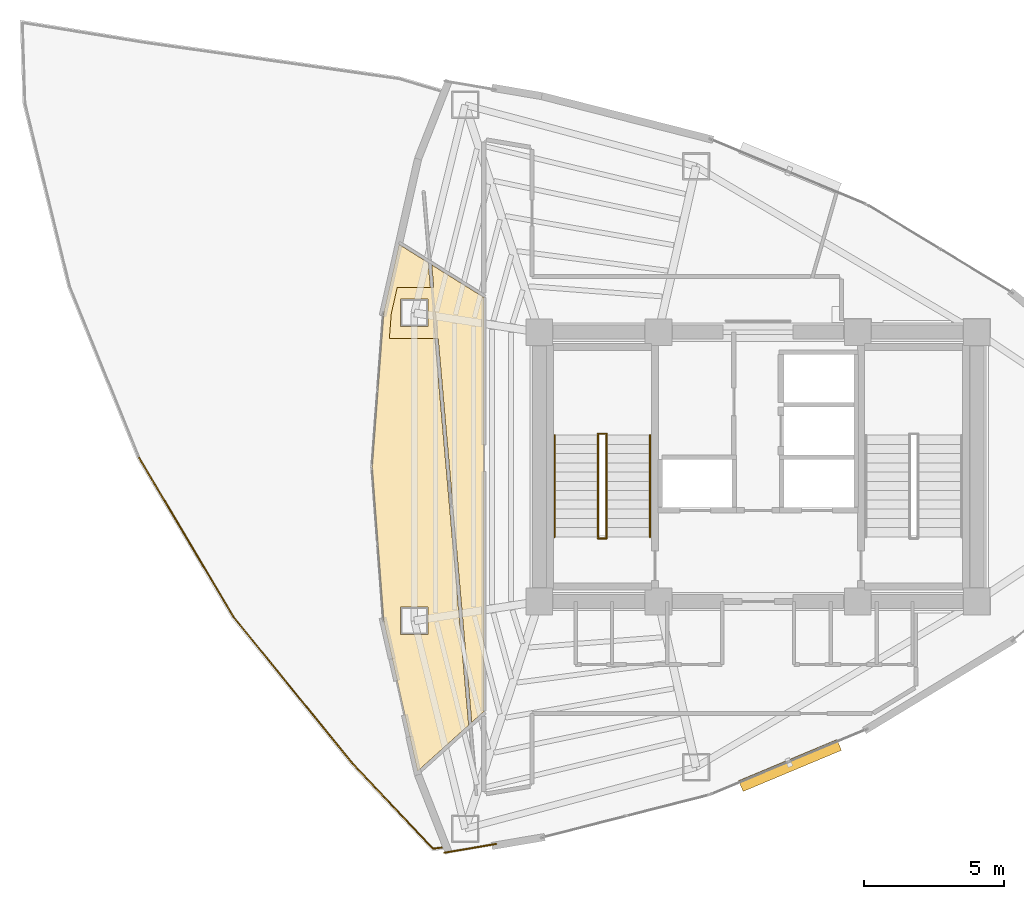
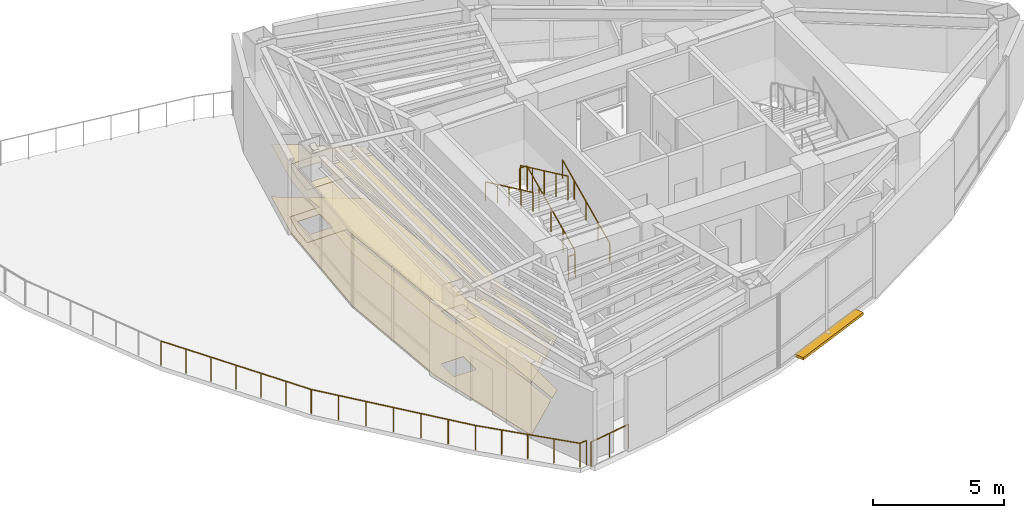
# One storey, part 15 of 17: 11 railings, 4 coverings, 1 shading device.
"""IFC4 building model written with IfcOpenShell, lengths in metres."""

from ifc_helpers import new_model, si_unit, direction, frame, origin, origin_2d, place, context, subcontext, project, spatial, polyline, rectangle, circle, outline, extrude, material, layer, layer_set, type_object, element, save


model = new_model("IFC4")

# Units and contexts
model_context = context("Model", 3, precision=1e-05, world=origin(), true_north=direction((0.0, 1.0)))
body_context = subcontext(model_context, "Body", "Model", "MODEL_VIEW")
ifc_project = project(units=[si_unit("LENGTHUNIT", "METRE"), si_unit("AREAUNIT", "SQUARE_METRE"), si_unit("VOLUMEUNIT", "CUBIC_METRE"), si_unit("PLANEANGLEUNIT", "RADIAN"), si_unit("MASSUNIT", "GRAM", prefix="KILO")], contexts=[model_context])

# Site, building, storey
site_placement = place(None, origin())
site = spatial("IfcSite", under=ifc_project, at=site_placement, CompositionType="ELEMENT")
building_placement = place(site_placement, origin())
building = spatial("IfcBuilding", under=site, at=building_placement, Name="Menara Vayukalpa", CompositionType="ELEMENT")
storey_placement = place(building_placement, frame((0.0, 0.0, 206.39990234375)))
storey = spatial("IfcBuildingStorey", under=building, at=storey_placement, Name="L52", CompositionType="ELEMENT", Elevation=206.39990234375)

# Coverings
ifc_material_1 = material(Name="Mineral Fibre Acoustic Ceiling Tile", Category="masonry")
ifc_layer_1 = layer(ifc_material_1, 0.02490234375)
ifc_layer_set_1 = layer_set([ifc_layer_1], Name="Mineral Fibre Acoustic Ceiling Tile")
covering_type_1 = type_object("IfcCoveringType", Name="COV-CLG1", PredefinedType="CEILING", material=ifc_layer_set_1)
covering_1_placement = place(storey_placement, frame((0.0, 0.0, 2.4501953125)))
element("IfcCovering", 1, at=covering_1_placement, inside=storey, type_object=covering_type_1, Name="L52 Sky Lobby Transfer Lounge Acoustic Ceiling", PredefinedType="CEILING", context=body_context, shape_type="SweptSolid", body=[
    extrude(outline(polyline([(11.84228515625, 22.0), (11.84228515625, 22.000732421875), (12.25390625, 27.48681640625), (12.25390625, 27.48828125), (12.79931640625, 29.912109375), (12.7998046875, 29.9130859375), (12.800048828125, 29.9140625), (12.800537109375, 29.9150390625), (12.801025390625, 29.915771484375), (12.8017578125, 29.91650390625), (12.802490234375, 29.917236328125), (12.80322265625, 29.91796875), (12.803955078125, 29.91845703125), (12.804931640625, 29.9189453125), (12.805908203125, 29.91943359375), (12.806884765625, 29.919677734375), (12.807861328125, 29.919921875), (12.808837890625, 29.919921875), (12.809814453125, 29.919921875), (12.810791015625, 29.919921875), (12.811767578125, 29.919677734375), (12.812744140625, 29.91943359375), (12.813720703125, 29.9189453125), (12.814453125, 29.91845703125), (13.83544921875, 29.280517578125), (13.836181640625, 29.27978515625), (13.837158203125, 29.279296875), (13.837890625, 29.278564453125), (13.83837890625, 29.277587890625), (13.839111328125, 29.27685546875), (13.83935546875, 29.27587890625), (13.83984375, 29.27490234375), (13.840087890625, 29.27392578125), (13.840087890625, 29.27294921875), (13.91650390625, 28.399169921875), (14.25390625, 28.399169921875), (14.25390625, 26.5791015625), (14.07568359375, 26.5791015625), (15.28173828125, 12.795654296875), (15.28173828125, 12.79443359375), (15.28173828125, 12.79345703125), (15.281494140625, 12.79248046875), (15.28125, 12.79150390625), (15.281005859375, 12.79052734375), (15.280517578125, 12.78955078125), (15.27978515625, 12.788818359375), (15.279296875, 12.7880859375), (15.278564453125, 12.787353515625), (13.47314453125, 11.16162109375), (13.472412109375, 11.160888671875), (13.471435546875, 11.160400390625), (13.470703125, 11.159912109375), (13.4697265625, 11.15966796875), (13.46875, 11.159423828125), (13.4677734375, 11.1591796875), (13.466796875, 11.1591796875), (13.4658203125, 11.1591796875), (13.46484375, 11.1591796875), (13.4638671875, 11.159423828125), (13.462890625, 11.15966796875), (13.4619140625, 11.16015625), (13.461181640625, 11.16064453125), (13.460205078125, 11.1611328125), (13.459716796875, 11.161865234375), (13.458984375, 11.16259765625), (13.458251953125, 11.163330078125), (13.457763671875, 11.1640625), (13.457275390625, 11.1650390625), (13.456787109375, 11.166015625), (13.45654296875, 11.1669921875), (12.25390625, 16.51171875), (12.25390625, 16.51318359375), (11.84228515625, 21.999267578125), (11.84228515625, 22.0)]), holes=[polyline([(13.833984375, 17.000732421875), (12.85400390625, 17.000732421875), (12.85400390625, 16.020751953125), (13.833984375, 16.020751953125), (13.833984375, 17.000732421875)]), polyline([(13.833984375, 27.979248046875), (12.85400390625, 27.979248046875), (12.85400390625, 26.999267578125), (13.833984375, 26.999267578125), (13.833984375, 27.979248046875)])]), origin(), (0.0, 0.0, 1.0), 0.02490234375),
])
covering_2_placement = place(storey_placement, frame((0.0, 0.0, 2.4501953125)))
element("IfcCovering", 2, at=covering_2_placement, inside=storey, type_object=covering_type_1, Name="L52 Visitor Reception Lounge Acoustic Ceiling", PredefinedType="CEILING", context=body_context, shape_type="SweptSolid", body=[
    extrude(outline(polyline([(15.829833984375, 13.286376953125), (15.82958984375, 13.285400390625), (15.829345703125, 13.28466796875), (15.828857421875, 13.28369140625), (15.82861328125, 13.282958984375), (15.827880859375, 13.281982421875), (15.827392578125, 13.281494140625), (15.82666015625, 13.28076171875), (15.40869140625, 12.904541015625), (15.407958984375, 12.904052734375), (15.4072265625, 12.9033203125), (15.406494140625, 12.903076171875), (15.405517578125, 12.902587890625), (15.404541015625, 12.90234375), (15.403564453125, 12.902099609375), (15.402587890625, 12.902099609375), (15.401611328125, 12.902099609375), (15.40087890625, 12.902099609375), (15.39990234375, 12.90234375), (15.39892578125, 12.902587890625), (15.39794921875, 12.90283203125), (15.397216796875, 12.9033203125), (15.396240234375, 12.90380859375), (15.3955078125, 12.904296875), (15.39501953125, 12.905029296875), (15.394287109375, 12.90576171875), (15.393798828125, 12.906494140625), (15.393310546875, 12.907470703125), (15.392822265625, 12.908203125), (15.392578125, 12.9091796875), (15.392333984375, 12.91015625), (15.39208984375, 12.9111328125), (14.1962890625, 26.5791015625), (12.45654296875, 26.5791015625), (12.521728515625, 27.44775390625), (12.73583984375, 28.399169921875), (14.037109375, 28.399169921875), (13.968994140625, 29.17822265625), (13.968994140625, 29.17919921875), (13.968994140625, 29.18017578125), (13.968994140625, 29.18115234375), (13.96923828125, 29.181884765625), (13.9697265625, 29.182861328125), (13.97021484375, 29.183837890625), (13.970703125, 29.1845703125), (13.97119140625, 29.185302734375), (13.9716796875, 29.18603515625), (13.972412109375, 29.186767578125), (13.973388671875, 29.1875), (13.97412109375, 29.18798828125), (13.97509765625, 29.188232421875), (13.975830078125, 29.188720703125), (13.976806640625, 29.18896484375), (13.977783203125, 29.18896484375), (13.978759765625, 29.189208984375), (13.979736328125, 29.189208984375), (13.980712890625, 29.18896484375), (13.981689453125, 29.188720703125), (13.982421875, 29.1884765625), (13.9833984375, 29.18798828125), (13.984130859375, 29.1875), (15.8251953125, 28.037109375), (15.826171875, 28.03662109375), (15.826904296875, 28.035888671875), (15.82763671875, 28.03515625), (15.828125, 28.034423828125), (15.82861328125, 28.033447265625), (15.8291015625, 28.03271484375), (15.82958984375, 28.03173828125), (15.829833984375, 28.03076171875), (15.829833984375, 28.02978515625), (15.830078125, 28.02880859375), (15.830078125, 13.2880859375), (15.830078125, 13.287353515625), (15.829833984375, 13.286376953125)]), holes=[polyline([(13.833984375, 27.979248046875), (12.85400390625, 27.979248046875), (12.85400390625, 26.999267578125), (13.833984375, 26.999267578125), (13.833984375, 27.979248046875)])]), origin(), (0.0, 0.0, 1.0), 0.02490234375),
])
ifc_material_2 = material(Name="Porcelain Stoneware Floor Tile", Category="masonry")
ifc_layer_2 = layer(ifc_material_2, 0.02001953125)
ifc_layer_set_2 = layer_set([ifc_layer_2], Name="Porcelain Stoneware Floor Tile")
covering_type_2 = type_object("IfcCoveringType", Name="COV-FLR1", PredefinedType="FLOORING", material=ifc_layer_set_2)
covering_3_placement = place(storey_placement, origin())
element("IfcCovering", 3, at=covering_3_placement, inside=storey, type_object=covering_type_2, Name="L52 Sky Lobby Transfer Lounge Porcelain Flooring", PredefinedType="FLOORING", context=body_context, shape_type="SweptSolid", body=[
    extrude(outline(polyline([(11.84228515625, 22.0), (11.84228515625, 22.000732421875), (12.25390625, 27.48681640625), (12.25390625, 27.48828125), (12.79931640625, 29.912109375), (12.7998046875, 29.9130859375), (12.800048828125, 29.9140625), (12.800537109375, 29.9150390625), (12.801025390625, 29.915771484375), (12.8017578125, 29.91650390625), (12.802490234375, 29.917236328125), (12.80322265625, 29.91796875), (12.803955078125, 29.91845703125), (12.804931640625, 29.9189453125), (12.805908203125, 29.91943359375), (12.806884765625, 29.919677734375), (12.807861328125, 29.919921875), (12.808837890625, 29.919921875), (12.809814453125, 29.919921875), (12.810791015625, 29.919921875), (12.811767578125, 29.919677734375), (12.812744140625, 29.91943359375), (12.813720703125, 29.9189453125), (12.814453125, 29.91845703125), (13.83544921875, 29.280517578125), (13.836181640625, 29.27978515625), (13.837158203125, 29.279296875), (13.837890625, 29.278564453125), (13.83837890625, 29.277587890625), (13.839111328125, 29.27685546875), (13.83935546875, 29.27587890625), (13.83984375, 29.27490234375), (13.840087890625, 29.27392578125), (13.840087890625, 29.27294921875), (13.91650390625, 28.399169921875), (14.25390625, 28.399169921875), (14.25390625, 26.5791015625), (14.07568359375, 26.5791015625), (15.28173828125, 12.795654296875), (15.28173828125, 12.79443359375), (15.28173828125, 12.79345703125), (15.281494140625, 12.79248046875), (15.28125, 12.79150390625), (15.281005859375, 12.79052734375), (15.280517578125, 12.78955078125), (15.27978515625, 12.788818359375), (15.279296875, 12.7880859375), (15.278564453125, 12.787353515625), (13.47314453125, 11.16162109375), (13.472412109375, 11.160888671875), (13.471435546875, 11.160400390625), (13.470703125, 11.159912109375), (13.4697265625, 11.15966796875), (13.46875, 11.159423828125), (13.4677734375, 11.1591796875), (13.466796875, 11.1591796875), (13.4658203125, 11.1591796875), (13.46484375, 11.1591796875), (13.4638671875, 11.159423828125), (13.462890625, 11.15966796875), (13.4619140625, 11.16015625), (13.461181640625, 11.16064453125), (13.460205078125, 11.1611328125), (13.459716796875, 11.161865234375), (13.458984375, 11.16259765625), (13.458251953125, 11.163330078125), (13.457763671875, 11.1640625), (13.457275390625, 11.1650390625), (13.456787109375, 11.166015625), (13.45654296875, 11.1669921875), (12.25390625, 16.51171875), (12.25390625, 16.51318359375), (11.84228515625, 21.999267578125), (11.84228515625, 22.0)]), holes=[polyline([(13.833984375, 17.000732421875), (12.85400390625, 17.000732421875), (12.85400390625, 16.020751953125), (13.833984375, 16.020751953125), (13.833984375, 17.000732421875)]), polyline([(13.833984375, 27.979248046875), (12.85400390625, 27.979248046875), (12.85400390625, 26.999267578125), (13.833984375, 26.999267578125), (13.833984375, 27.979248046875)])]), origin(), (0.0, 0.0, 1.0), 0.02001953125),
])
covering_4_placement = place(storey_placement, origin())
element("IfcCovering", 4, at=covering_4_placement, inside=storey, type_object=covering_type_2, Name="L52 Visitor Reception Lounge Porcelain Flooring", PredefinedType="FLOORING", context=body_context, shape_type="SweptSolid", body=[
    extrude(outline(polyline([(15.829833984375, 13.286376953125), (15.82958984375, 13.285400390625), (15.829345703125, 13.28466796875), (15.828857421875, 13.28369140625), (15.82861328125, 13.282958984375), (15.827880859375, 13.281982421875), (15.827392578125, 13.281494140625), (15.82666015625, 13.28076171875), (15.40869140625, 12.904541015625), (15.407958984375, 12.904052734375), (15.4072265625, 12.9033203125), (15.406494140625, 12.903076171875), (15.405517578125, 12.902587890625), (15.404541015625, 12.90234375), (15.403564453125, 12.902099609375), (15.402587890625, 12.902099609375), (15.401611328125, 12.902099609375), (15.40087890625, 12.902099609375), (15.39990234375, 12.90234375), (15.39892578125, 12.902587890625), (15.39794921875, 12.90283203125), (15.397216796875, 12.9033203125), (15.396240234375, 12.90380859375), (15.3955078125, 12.904296875), (15.39501953125, 12.905029296875), (15.394287109375, 12.90576171875), (15.393798828125, 12.906494140625), (15.393310546875, 12.907470703125), (15.392822265625, 12.908203125), (15.392578125, 12.9091796875), (15.392333984375, 12.91015625), (15.39208984375, 12.9111328125), (14.1962890625, 26.5791015625), (12.45654296875, 26.5791015625), (12.521728515625, 27.44775390625), (12.73583984375, 28.399169921875), (14.037109375, 28.399169921875), (13.968994140625, 29.17822265625), (13.968994140625, 29.17919921875), (13.968994140625, 29.18017578125), (13.968994140625, 29.18115234375), (13.96923828125, 29.181884765625), (13.9697265625, 29.182861328125), (13.97021484375, 29.183837890625), (13.970703125, 29.1845703125), (13.97119140625, 29.185302734375), (13.9716796875, 29.18603515625), (13.972412109375, 29.186767578125), (13.973388671875, 29.1875), (13.97412109375, 29.18798828125), (13.97509765625, 29.188232421875), (13.975830078125, 29.188720703125), (13.976806640625, 29.18896484375), (13.977783203125, 29.18896484375), (13.978759765625, 29.189208984375), (13.979736328125, 29.189208984375), (13.980712890625, 29.18896484375), (13.981689453125, 29.188720703125), (13.982421875, 29.1884765625), (13.9833984375, 29.18798828125), (13.984130859375, 29.1875), (15.8251953125, 28.037109375), (15.826171875, 28.03662109375), (15.826904296875, 28.035888671875), (15.82763671875, 28.03515625), (15.828125, 28.034423828125), (15.82861328125, 28.033447265625), (15.8291015625, 28.03271484375), (15.82958984375, 28.03173828125), (15.829833984375, 28.03076171875), (15.829833984375, 28.02978515625), (15.830078125, 28.02880859375), (15.830078125, 13.2880859375), (15.830078125, 13.287353515625), (15.829833984375, 13.286376953125)]), holes=[polyline([(13.833984375, 27.979248046875), (12.85400390625, 27.979248046875), (12.85400390625, 26.999267578125), (13.833984375, 26.999267578125), (13.833984375, 27.979248046875)])]), origin(), (0.0, 0.0, 1.0), 0.02001953125),
])

# Railings
ifc_material_3 = material(Name="Laminated Glass and Stainless Steel 316 Guardrail", Category="steel")
railing_type_1 = type_object("IfcRailingType", Name="RLG-EXT115", PredefinedType="GUARDRAIL", material=ifc_material_3)
railing_1_placement = place(storey_placement, frame((14.012451171875, 8.38720703125, 0.0)))
element("IfcRailing", 5, at=railing_1_placement, inside=storey, type_object=railing_type_1, Name="L52 Sky Terrace Perimeter Guardrail 01", PredefinedType="GUARDRAIL", context=body_context, shape_type="SweptSolid", body=[
    extrude(circle(Radius=0.02392578125, at=origin_2d()), frame((0.0, 0.0, 1.1259765625), z_axis=(-0.687705618689, 0.725989656967, 0.0), x_axis=(-0.725989656967, -0.687705618689, 0.0)), (0.0, 0.0, 1.0), 4.164306640625),
    extrude(circle(Radius=0.02099609375, at=origin_2d()), origin(), (0.0, 0.0, 1.0), 1.101806640625),
    extrude(circle(Radius=0.02099609375, at=origin_2d()), frame((-0.7158203125, 0.755859375, 0.0)), (0.0, 0.0, 1.0), 1.101806640625),
    extrude(circle(Radius=0.02099609375, at=origin_2d()), frame((-1.431884765625, 1.51171875, 0.0)), (0.0, 0.0, 1.0), 1.101806640625),
    extrude(circle(Radius=0.02099609375, at=origin_2d()), frame((-2.14794921875, 2.267333984375, 0.0)), (0.0, 0.0, 1.0), 1.101806640625),
    extrude(circle(Radius=0.02099609375, at=origin_2d()), frame((-2.86376953125, 3.023193359375, 0.0)), (0.0, 0.0, 1.0), 1.101806640625),
])
railing_2_placement = place(storey_placement, frame((11.148681640625, 11.410400390625, 0.0)))
element("IfcRailing", 6, at=railing_2_placement, inside=storey, type_object=railing_type_1, Name="L52 Sky Terrace Perimeter Guardrail 02", PredefinedType="GUARDRAIL", context=body_context, shape_type="SweptSolid", body=[
    extrude(circle(Radius=0.02392578125, at=origin_2d()), frame((0.0, 0.0, 1.1259765625), z_axis=(-0.630168571813, 0.776458351168, 0.0), x_axis=(-0.776458351168, -0.630168571813, 0.0)), (0.0, 0.0, 1.0), 6.7421875),
    extrude(circle(Radius=0.02099609375, at=origin_2d()), origin(), (0.0, 0.0, 1.0), 1.101806640625),
    extrude(circle(Radius=0.02099609375, at=origin_2d()), frame((-0.7080078125, 0.87255859375, 0.0)), (0.0, 0.0, 1.0), 1.101806640625),
    extrude(circle(Radius=0.02099609375, at=origin_2d()), frame((-1.416259765625, 1.7451171875, 0.0)), (0.0, 0.0, 1.0), 1.101806640625),
    extrude(circle(Radius=0.02099609375, at=origin_2d()), frame((-2.12451171875, 2.61767578125, 0.0)), (0.0, 0.0, 1.0), 1.101806640625),
    extrude(circle(Radius=0.02099609375, at=origin_2d()), frame((-2.83251953125, 3.489990234375, 0.0)), (0.0, 0.0, 1.0), 1.101806640625),
    extrude(circle(Radius=0.02099609375, at=origin_2d()), frame((-3.54052734375, 4.362548828125, 0.0)), (0.0, 0.0, 1.0), 1.101806640625),
    extrude(circle(Radius=0.02099609375, at=origin_2d()), frame((-4.248779296875, 5.235107421875, 0.0)), (0.0, 0.0, 1.0), 1.101806640625),
])
railing_3_placement = place(storey_placement, frame((6.89990234375, 16.6455078125, 0.0)))
element("IfcRailing", 7, at=railing_3_placement, inside=storey, type_object=railing_type_1, Name="L52 Sky Terrace Perimeter Guardrail 03", PredefinedType="GUARDRAIL", context=body_context, shape_type="SweptSolid", body=[
    extrude(circle(Radius=0.02392578125, at=origin_2d()), frame((0.0, 0.0, 1.1259765625), z_axis=(-0.510099771966, 0.860115238, 0.0), x_axis=(-0.860115238, -0.510099771966, 0.0)), (0.0, 0.0, 1.0), 6.593017578125),
    extrude(circle(Radius=0.02099609375, at=origin_2d()), origin(), (0.0, 0.0, 1.0), 1.101806640625),
    extrude(circle(Radius=0.02099609375, at=origin_2d()), frame((-0.560546875, 0.945068359375, 0.0)), (0.0, 0.0, 1.0), 1.101806640625),
    extrude(circle(Radius=0.02099609375, at=origin_2d()), frame((-1.12109375, 1.89013671875, 0.0)), (0.0, 0.0, 1.0), 1.101806640625),
    extrude(circle(Radius=0.02099609375, at=origin_2d()), frame((-1.681640625, 2.83544921875, 0.0)), (0.0, 0.0, 1.0), 1.101806640625),
    extrude(circle(Radius=0.02099609375, at=origin_2d()), frame((-2.241943359375, 3.780517578125, 0.0)), (0.0, 0.0, 1.0), 1.101806640625),
    extrude(circle(Radius=0.02099609375, at=origin_2d()), frame((-2.802490234375, 4.7255859375, 0.0)), (0.0, 0.0, 1.0), 1.101806640625),
    extrude(circle(Radius=0.02099609375, at=origin_2d()), frame((-3.363037109375, 5.670654296875, 0.0)), (0.0, 0.0, 1.0), 1.101806640625),
])
railing_4_placement = place(storey_placement, frame((14.32666015625, 8.425537109375, 0.0)))
element("IfcRailing", 8, at=railing_4_placement, inside=storey, type_object=railing_type_1, Name="L52 Sky Terrace Perimeter Guardrail 10", PredefinedType="GUARDRAIL", context=body_context, shape_type="SweptSolid", body=[
    extrude(circle(Radius=0.02392578125, at=origin_2d()), frame((0.0, 0.0, 1.1259765625), z_axis=(-0.992641355855, -0.121091447451, 0.0), x_axis=(0.121091447451, -0.992641355855, 0.0)), (0.0, 0.0, 1.0), 0.316650390625),
    extrude(circle(Radius=0.02099609375, at=origin_2d()), origin(), (0.0, 0.0, 1.0), 1.101806640625),
    extrude(circle(Radius=0.02099609375, at=origin_2d()), frame((-0.314208984375, -0.038330078125, 0.0)), (0.0, 0.0, 1.0), 1.101806640625),
])
railing_5_placement = place(storey_placement, frame((14.413818359375, 8.241455078125, 0.0)))
element("IfcRailing", 9, at=railing_5_placement, inside=storey, type_object=railing_type_1, Name="L52 Column Corner Spandrel Guardrail 14-1", PredefinedType="GUARDRAIL", context=body_context, shape_type="SweptSolid", body=[
    extrude(circle(Radius=0.02392578125, at=origin_2d()), frame((0.0, 0.0, 1.1259765625), z_axis=(0.985895107684, 0.167364382844, 0.0), x_axis=(-0.167364382844, 0.985895107684, 0.0)), (0.0, 0.0, 1.0), 1.86865234375),
    extrude(circle(Radius=0.02099609375, at=origin_2d()), origin(), (0.0, 0.0, 1.0), 1.101806640625),
    extrude(circle(Radius=0.02099609375, at=origin_2d()), frame((0.921142578125, 0.15625, 0.0)), (0.0, 0.0, 1.0), 1.101806640625),
    extrude(circle(Radius=0.02099609375, at=origin_2d()), frame((1.84228515625, 0.312744140625, 0.0)), (0.0, 0.0, 1.0), 1.101806640625),
])
ifc_material_4 = material(Name="Powder-Coated Galvanised Steel Guardrail", Category="steel")
railing_type_2 = type_object("IfcRailingType", Name="RLG-STG110", PredefinedType="GUARDRAIL", material=ifc_material_4)
railing_6_placement = place(storey_placement, frame((20.199951171875, 19.5, 0.155029296875)))
element("IfcRailing", 10, at=railing_6_placement, inside=storey, type_object=railing_type_2, Name="L52 ST-1 stair guard 1", PredefinedType="GUARDRAIL", context=body_context, shape_type="SweptSolid", body=[
    extrude(circle(Radius=0.02392578125, at=origin_2d()), frame((0.0, 0.0, 1.09619140625), z_axis=(0.0, 0.90511648382, 0.425163675209), x_axis=(-1.0, 0.0, 0.0)), (0.0, 0.0, 1.0), 4.010498046875),
    extrude(circle(Radius=0.02099609375, at=origin_2d()), origin(), (0.0, 0.0, 1.0), 1.072021484375),
    extrude(circle(Radius=0.02099609375, at=origin_2d()), frame((0.0, 0.907470703125, 0.42626953125)), (0.0, 0.0, 1.0), 1.072021484375),
    extrude(circle(Radius=0.02099609375, at=origin_2d()), frame((0.0, 1.81494140625, 0.8525390625)), (0.0, 0.0, 1.0), 1.072021484375),
    extrude(circle(Radius=0.02099609375, at=origin_2d()), frame((0.0, 2.722412109375, 1.27880859375)), (0.0, 0.0, 1.0), 1.072021484375),
    extrude(circle(Radius=0.02099609375, at=origin_2d()), frame((0.0, 3.6298828125, 1.705078125)), (0.0, 0.0, 1.0), 1.072021484375),
])
railing_7_placement = place(storey_placement, frame((20.2099609375, 23.179931640625, 1.860107421875)))
element("IfcRailing", 11, at=railing_7_placement, inside=storey, type_object=railing_type_2, Name="L52 ST-1 stair guard 2", PredefinedType="GUARDRAIL", context=body_context, shape_type="SweptSolid", body=[
    extrude(circle(Radius=0.02392578125, at=origin_2d()), frame((0.0, 0.0, 1.09619140625), z_axis=(-1.0, 0.0, 0.0), x_axis=(0.0, -1.0, 0.0)), (0.0, 0.0, 1.0), 0.320068359375),
    extrude(circle(Radius=0.02099609375, at=origin_2d()), origin(), (0.0, 0.0, 1.0), 1.072021484375),
    extrude(circle(Radius=0.02099609375, at=origin_2d()), frame((-0.320068359375, 0.0, 0.0)), (0.0, 0.0, 1.0), 1.072021484375),
])
railing_8_placement = place(storey_placement, frame((19.89990234375, 23.1298828125, 2.01513671875)))
element("IfcRailing", 12, at=railing_8_placement, inside=storey, type_object=railing_type_2, Name="L52 ST-1 stair guard 3", PredefinedType="GUARDRAIL", context=body_context, shape_type="SweptSolid", body=[
    extrude(circle(Radius=0.02392578125, at=origin_2d()), frame((0.0, 0.0, 1.09619140625), z_axis=(0.0, -0.90511648382, 0.425163675209), x_axis=(1.0, 0.0, 0.0)), (0.0, 0.0, 1.0), 4.010498046875),
    extrude(circle(Radius=0.02099609375, at=origin_2d()), origin(), (0.0, 0.0, 1.0), 1.072021484375),
    extrude(circle(Radius=0.02099609375, at=origin_2d()), frame((0.0, -0.907470703125, 0.42626953125)), (0.0, 0.0, 1.0), 1.072021484375),
    extrude(circle(Radius=0.02099609375, at=origin_2d()), frame((0.0, -1.81494140625, 0.8525390625)), (0.0, 0.0, 1.0), 1.072021484375),
    extrude(circle(Radius=0.02099609375, at=origin_2d()), frame((0.0, -2.722412109375, 1.27880859375)), (0.0, 0.0, 1.0), 1.072021484375),
    extrude(circle(Radius=0.02099609375, at=origin_2d()), frame((0.0, -3.6298828125, 1.705078125)), (0.0, 0.0, 1.0), 1.072021484375),
])
railing_9_placement = place(storey_placement, frame((20.2099609375, 19.449951171875, 0.0)))
element("IfcRailing", 13, at=railing_9_placement, inside=storey, type_object=railing_type_2, Name="L52 ST-1 stair guard 4", PredefinedType="GUARDRAIL", context=body_context, shape_type="SweptSolid", body=[
    extrude(circle(Radius=0.02392578125, at=origin_2d()), frame((0.0, 0.0, 1.09619140625), z_axis=(-1.0, 0.0, 0.0), x_axis=(0.0, -1.0, 0.0)), (0.0, 0.0, 1.0), 0.320068359375),
    extrude(circle(Radius=0.02099609375, at=origin_2d()), origin(), (0.0, 0.0, 1.0), 1.072021484375),
    extrude(circle(Radius=0.02099609375, at=origin_2d()), frame((-0.320068359375, 0.0, 0.0)), (0.0, 0.0, 1.0), 1.072021484375),
])
ifc_material_5 = material(Name="Stainless Steel 316 Tubular Handrail", Category="steel")
railing_type_3 = type_object("IfcRailingType", Name="RLG-STH090", PredefinedType="HANDRAIL", material=ifc_material_5)
railing_10_placement = place(storey_placement, frame((21.75, 19.5, 0.155029296875)))
element("IfcRailing", 14, at=railing_10_placement, inside=storey, type_object=railing_type_3, Name="L52 ST-1 stair handrail 1", PredefinedType="HANDRAIL", context=body_context, shape_type="SweptSolid", body=[
    extrude(circle(Radius=0.02392578125, at=origin_2d()), frame((0.0, 0.0, 0.8759765625), z_axis=(0.0, 0.90511648382, 0.425163675209), x_axis=(-1.0, 0.0, 0.0)), (0.0, 0.0, 1.0), 4.010498046875),
    extrude(circle(Radius=0.02099609375, at=origin_2d()), origin(), (0.0, 0.0, 1.0), 0.851806640625),
    extrude(circle(Radius=0.02099609375, at=origin_2d()), frame((0.0, 0.907470703125, 0.42626953125)), (0.0, 0.0, 1.0), 0.851806640625),
    extrude(circle(Radius=0.02099609375, at=origin_2d()), frame((0.0, 1.81494140625, 0.8525390625)), (0.0, 0.0, 1.0), 0.851806640625),
    extrude(circle(Radius=0.02099609375, at=origin_2d()), frame((0.0, 2.722412109375, 1.27880859375)), (0.0, 0.0, 1.0), 0.851806640625),
    extrude(circle(Radius=0.02099609375, at=origin_2d()), frame((0.0, 3.6298828125, 1.705078125)), (0.0, 0.0, 1.0), 0.851806640625),
])
railing_11_placement = place(storey_placement, frame((18.35009765625, 23.1298828125, 2.01513671875)))
element("IfcRailing", 15, at=railing_11_placement, inside=storey, type_object=railing_type_3, Name="L52 ST-1 stair handrail 2", PredefinedType="HANDRAIL", context=body_context, shape_type="SweptSolid", body=[
    extrude(circle(Radius=0.02392578125, at=origin_2d()), frame((0.0, 0.0, 0.8759765625), z_axis=(0.0, -0.90511648382, 0.425163675209), x_axis=(1.0, 0.0, 0.0)), (0.0, 0.0, 1.0), 4.010498046875),
    extrude(circle(Radius=0.02099609375, at=origin_2d()), origin(), (0.0, 0.0, 1.0), 0.851806640625),
    extrude(circle(Radius=0.02099609375, at=origin_2d()), frame((0.0, -0.907470703125, 0.42626953125)), (0.0, 0.0, 1.0), 0.851806640625),
    extrude(circle(Radius=0.02099609375, at=origin_2d()), frame((0.0, -1.81494140625, 0.8525390625)), (0.0, 0.0, 1.0), 0.851806640625),
    extrude(circle(Radius=0.02099609375, at=origin_2d()), frame((0.0, -2.722412109375, 1.27880859375)), (0.0, 0.0, 1.0), 0.851806640625),
    extrude(circle(Radius=0.02099609375, at=origin_2d()), frame((0.0, -3.6298828125, 1.705078125)), (0.0, 0.0, 1.0), 0.851806640625),
])

# Shading device
ifc_material_6 = material(Name="Glazed Terracotta Ceramic Baguette Extrusion", Category="masonry")
ifc_layer_3 = layer(ifc_material_6, 0.1201171875)
ifc_layer_set_3 = layer_set([ifc_layer_3], Name="Glazed Terracotta Ceramic Baguette Extrusion")
shading_device_type = type_object("IfcShadingDeviceType", Name="SHD-SS1", PredefinedType="USERDEFINED", material=ifc_layer_set_3)
shading_device_placement = place(storey_placement, frame((26.740234375, 11.3525390625, -0.099853515625), z_axis=(0.0, 0.0, 1.0), x_axis=(0.922538089456, 0.385906042324, 0.0)))
element("IfcShadingDevice", 16, at=shading_device_placement, inside=storey, type_object=shading_device_type, Name="L52 Horizontal Terracotta Sunshade Band 17", ObjectType="SUNSHADE", PredefinedType="USERDEFINED", context=body_context, shape_type="SweptSolid", body=[
    extrude(rectangle(XDim=3.800048828125, YDim=0.419921875, at=origin_2d()), origin(), (0.0, 0.0, 1.0), 0.1201171875),
])

save(model, "model.ifc")
